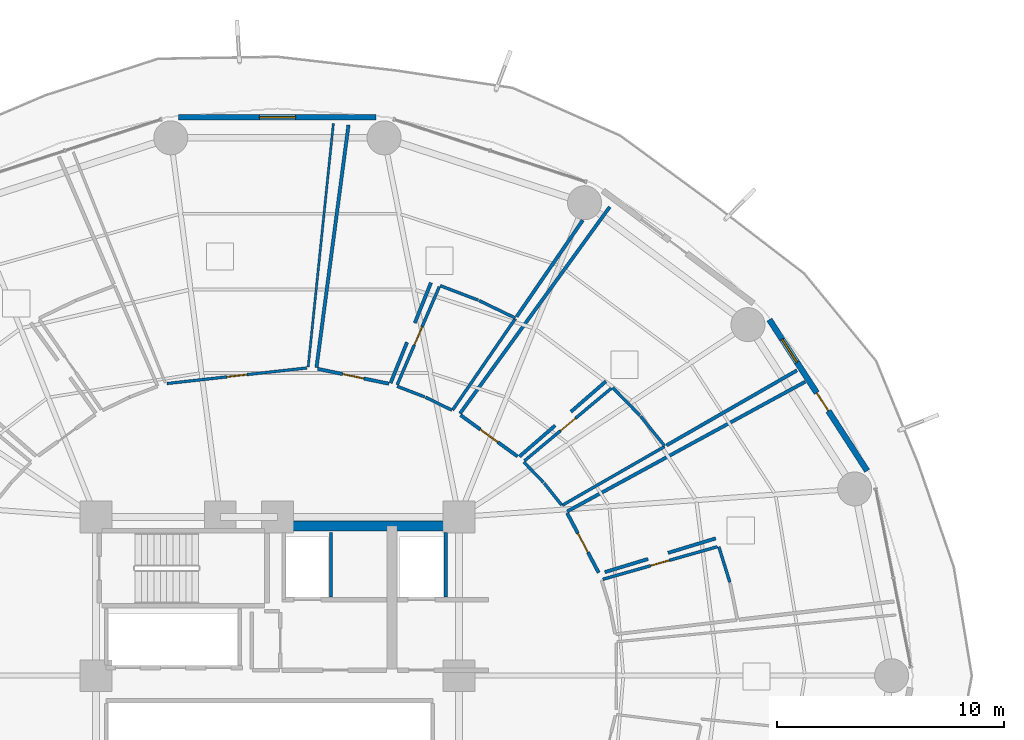
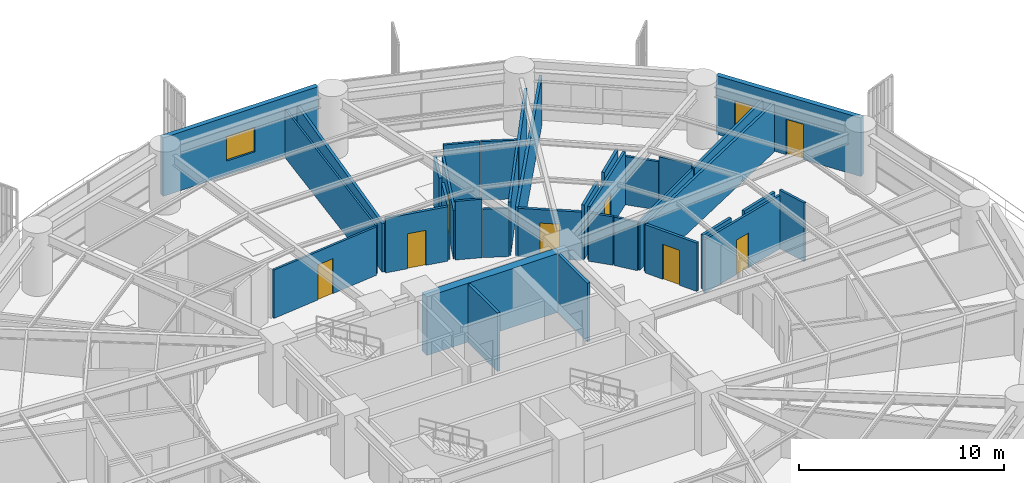
# One storey, part 26 of 33: 35 walls, 8 doors, 2 windows, 10 openings.
"""IFC4 building model written with IfcOpenShell, lengths in metres."""

from ifc_helpers import new_model, si_unit, direction, frame, frame_2d, origin, place, context, subcontext, project, spatial, rectangle, extrude, material, layer, layer_set, type_object, element, fill, save


model = new_model("IFC4")

# Units and contexts
model_context = context("Model", 3, precision=1e-05, world=origin(), true_north=direction((0.0, 1.0)))
body_context = subcontext(model_context, "Body", "Model", "MODEL_VIEW")
ifc_project = project(units=[si_unit("LENGTHUNIT", "METRE"), si_unit("AREAUNIT", "SQUARE_METRE"), si_unit("VOLUMEUNIT", "CUBIC_METRE"), si_unit("PLANEANGLEUNIT", "RADIAN"), si_unit("MASSUNIT", "GRAM", prefix="KILO")], contexts=[model_context])

# Site, building, storey
site_placement = place(None, origin())
site = spatial("IfcSite", under=ifc_project, at=site_placement, CompositionType="ELEMENT")
building_placement = place(site_placement, origin())
building = spatial("IfcBuilding", under=site, at=building_placement, Name="Kelanora Arch Commons", CompositionType="ELEMENT")
storey_placement = place(building_placement, frame((0.0, 0.0, 45.0)))
storey = spatial("IfcBuildingStorey", under=building, at=storey_placement, Name="L11", CompositionType="ELEMENT", Elevation=45.0)

# Walls
ifc_material_1 = material(Name="Autoclaved aerated concrete blockwork with fire plaster", Category="masonry")
ifc_layer_1 = layer(ifc_material_1, 0.14990234375)
ifc_layer_set_1 = layer_set([ifc_layer_1], Name="Autoclaved aerated concrete blockwork with fire plaster")
wall_type_1 = type_object("IfcWallType", Name="W-COMP-150", PredefinedType="PARTITIONING", material=ifc_layer_set_1)
for number, where, z_axis, x_axis, name in (
    (1, (76.360107421875, 61.47998046875, 0.0), (0.0, 0.0, 1.0), (0.0, 1.0, 0.0), "Firefighting Lift 1 East Shaft Wall L11"),
    (2, (81.419921875, 61.47998046875, 0.0), (0.0, 0.0, 1.0), (0.0, 1.0, 0.0), "Firefighting Lift 2 East Shaft Wall L11"),
):
    element("IfcWall", number, at=place(storey_placement, frame(where, z_axis=z_axis, x_axis=x_axis)), inside=storey, type_object=wall_type_1, Name=name, PredefinedType="PARTITIONING", context=body_context, shape_type="SweptSolid", body=[
        extrude(rectangle(XDim=2.840087890625, YDim=0.14990234375, at=frame_2d((1.419921875, 0.0))), origin(), (0.0, 0.0, 1.0), 3.47998046875),
    ])

# Wall, opening, door
wall_1_placement = place(storey_placement, frame((88.161865234375, 62.5458984375, 0.0), z_axis=(0.0, 0.0, 1.0), x_axis=(-0.467566881753, 0.883957697567, 0.0)))
wall_1 = element("IfcWall", 3, at=wall_1_placement, inside=storey, type_object=wall_type_1, Name="Co-Living Studio L11-01 Entry Partition", PredefinedType="PARTITIONING", context=body_context, shape_type="SweptSolid", body=[
    extrude(rectangle(XDim=2.97216796875, YDim=0.14990234375, at=frame_2d((1.486083984375, 0.0))), origin(), (0.0, 0.0, 1.0), 2.875),
])
opening_1_placement = place(wall_1_placement, frame((1.010986328125, 0.0, 0.0)))
opening_1 = element("IfcOpeningElement", 4, at=opening_1_placement, cuts=wall_1, Name="Opening D-CLU1", PredefinedType="OPENING", context=body_context, shape_type="SweptSolid", body=[
    extrude(rectangle(XDim=0.949951171875, YDim=2.080078125, at=frame_2d((0.47509765625, 1.0400390625))), frame((0.0, 0.0849609375, 0.0), z_axis=(0.0, -1.0, 0.0), x_axis=(1.0, 0.0, 0.0)), (0.0, 0.0, 1.0), 0.169921875),
])
ifc_material_2 = material(Name="Solid-core acoustic timber cluster entry fire door", Category="wood")
door_type_1 = type_object("IfcDoorType", Name="D-CLU-95", OperationType="NOTDEFINED", PredefinedType="DOOR", material=ifc_material_2)
door_1_placement = place(opening_1_placement, origin())
door_1 = element("IfcDoor", 5, at=door_1_placement, inside=storey, type_object=door_type_1, Name="Co-Living Studio L11-01 Door", OperationType="SINGLE_SWING_LEFT", OverallHeight=2.080078125, OverallWidth=0.949951171875, PredefinedType="DOOR", context=body_context, shape_type="SweptSolid", body=[
    extrude(rectangle(XDim=0.949951171875, YDim=2.080078125, at=frame_2d((0.47509765625, 1.0400390625))), frame((0.0, 0.02490234375, 0.0), z_axis=(0.0, -1.0, 0.0), x_axis=(1.0, 0.0, 0.0)), (0.0, 0.0, 1.0), 0.050048828125),
])
fill(opening_1, door_1)

wall_2_placement = place(storey_placement, frame((84.58642578125, 67.667236328125, 0.0), z_axis=(0.0, 0.0, 1.0), x_axis=(-0.80951419377, 0.587100306664, 0.0)))
wall_2 = element("IfcWall", 6, at=wall_2_placement, inside=storey, type_object=wall_type_1, Name="Co-Living Studio L11-02 Entry Partition", PredefinedType="PARTITIONING", context=body_context, shape_type="SweptSolid", body=[
    extrude(rectangle(XDim=3.104248046875, YDim=0.14990234375, at=frame_2d((1.55224609375, 0.0))), origin(), (0.0, 0.0, 1.0), 2.875),
])
opening_2_placement = place(wall_2_placement, frame((1.076904296875, 0.0, 0.0)))
opening_2 = element("IfcOpeningElement", 7, at=opening_2_placement, cuts=wall_2, Name="Opening D-CLU1", PredefinedType="OPENING", context=body_context, shape_type="SweptSolid", body=[
    extrude(rectangle(XDim=0.949951171875, YDim=2.080078125, at=frame_2d((0.47509765625, 1.0400390625))), frame((0.0, 0.0849609375, 0.0), z_axis=(0.0, -1.0, 0.0), x_axis=(1.0, 0.0, 0.0)), (0.0, 0.0, 1.0), 0.169921875),
])
door_2_placement = place(opening_2_placement, origin())
door_2 = element("IfcDoor", 8, at=door_2_placement, inside=storey, type_object=door_type_1, Name="Co-Living Studio L11-02 Door", OperationType="SINGLE_SWING_LEFT", OverallHeight=2.080078125, OverallWidth=0.949951171875, PredefinedType="DOOR", context=body_context, shape_type="SweptSolid", body=[
    extrude(rectangle(XDim=0.949951171875, YDim=2.080078125, at=frame_2d((0.47509765625, 1.0400390625))), frame((0.0, 0.02490234375, 0.0), z_axis=(0.0, -1.0, 0.0), x_axis=(1.0, 0.0, 0.0)), (0.0, 0.0, 1.0), 0.050048828125),
])
fill(opening_2, door_2)

wall_3_placement = place(storey_placement, frame((78.914306640625, 70.874267578125, 0.0), z_axis=(0.0, 0.0, 1.0), x_axis=(-0.978952544969, 0.204088007237, 0.0)))
wall_3 = element("IfcWall", 9, at=wall_3_placement, inside=storey, type_object=wall_type_1, Name="Co-Living Studio L11-03 Entry Partition", PredefinedType="PARTITIONING", context=body_context, shape_type="SweptSolid", body=[
    extrude(rectangle(XDim=3.20703125, YDim=0.14990234375, at=frame_2d((1.603515625, 0.0))), origin(), (0.0, 0.0, 1.0), 3.235107421875),
])
opening_3_placement = place(wall_3_placement, frame((1.12890625, 0.0, 0.0)))
opening_3 = element("IfcOpeningElement", 10, at=opening_3_placement, cuts=wall_3, Name="Opening D-CLU1", PredefinedType="OPENING", context=body_context, shape_type="SweptSolid", body=[
    extrude(rectangle(XDim=0.949951171875, YDim=2.080078125, at=frame_2d((0.47509765625, 1.0400390625))), frame((0.0, 0.0849609375, 0.0), z_axis=(0.0, -1.0, 0.0), x_axis=(1.0, 0.0, 0.0)), (0.0, 0.0, 1.0), 0.169921875),
])
door_3_placement = place(opening_3_placement, origin())
door_3 = element("IfcDoor", 11, at=door_3_placement, inside=storey, type_object=door_type_1, Name="Co-Living Studio L11-03 Door", OperationType="SINGLE_SWING_LEFT", OverallHeight=2.080078125, OverallWidth=0.949951171875, PredefinedType="DOOR", context=body_context, shape_type="SweptSolid", body=[
    extrude(rectangle(XDim=0.949951171875, YDim=2.080078125, at=frame_2d((0.47509765625, 1.0400390625))), frame((0.0, 0.02490234375, 0.0), z_axis=(0.0, -1.0, 0.0), x_axis=(1.0, 0.0, 0.0)), (0.0, 0.0, 1.0), 0.050048828125),
])
fill(opening_3, door_3)

# Walls
wall_4_placement = place(storey_placement, frame((86.779052734375, 65.2451171875, 0.0), z_axis=(0.0, 0.0, 1.0), x_axis=(0.878114235828, 0.478451030761, 0.0)))
element("IfcWall", 12, at=wall_4_placement, inside=storey, type_object=wall_type_1, Name="Co-Living Studio L11-01 Enclosure Partition 2", PredefinedType="PARTITIONING", context=body_context, shape_type="SweptSolid", body=[
    extrude(rectangle(XDim=11.9423828125, YDim=0.14990234375, at=frame_2d((5.97119140625, 0.0))), origin(), (0.0, 0.0, 1.0), 2.875),
])
wall_5_placement = place(storey_placement, frame((93.32373046875, 64.055419921875, 0.0), z_axis=(0.0, 0.0, 1.0), x_axis=(-0.956656385618, -0.291219092533, 0.0)))
element("IfcWall", 13, at=wall_5_placement, inside=storey, type_object=wall_type_1, Name="Co-Living Studio L11-01 Enclosure Partition 7", PredefinedType="PARTITIONING", context=body_context, shape_type="SweptSolid", body=[
    extrude(rectangle(XDim=2.197265625, YDim=0.14990234375, at=frame_2d((1.0986328125, 0.0))), origin(), (0.0, 0.0, 1.0), 3.175048828125),
])
wall_6_placement = place(storey_placement, frame((90.34130859375, 63.147705078125, 0.0), z_axis=(0.0, 0.0, 1.0), x_axis=(-0.956672396934, -0.291166490078, 0.0)))
element("IfcWall", 14, at=wall_6_placement, inside=storey, type_object=wall_type_1, Name="Co-Living Studio L11-01 Enclosure Partition 7", PredefinedType="PARTITIONING", context=body_context, shape_type="SweptSolid", body=[
    extrude(rectangle(XDim=1.9931640625, YDim=0.14990234375, at=frame_2d((0.99658203125, 0.0))), origin(), (0.0, 0.0, 1.0), 3.235107421875),
])
wall_7_placement = place(storey_placement, frame((82.048583984375, 69.557373046875, 0.0), z_axis=(0.0, 0.0, 1.0), x_axis=(0.586718941426, 0.809790641939, 0.0)))
element("IfcWall", 15, at=wall_7_placement, inside=storey, type_object=wall_type_1, Name="Co-Living Studio L11-02 Enclosure Partition 2", PredefinedType="PARTITIONING", context=body_context, shape_type="SweptSolid", body=[
    extrude(rectangle(XDim=11.248779296875, YDim=0.14990234375, at=frame_2d((5.62451171875, 0.0))), origin(), (0.0, 0.0, 1.0), 2.875),
])
wall_8_placement = place(storey_placement, frame((96.9033203125, 71.461181640625, 0.0), z_axis=(0.0, 0.0, 1.0), x_axis=(-0.866924194656, -0.498440007142, 0.0)))
element("IfcWall", 16, at=wall_8_placement, inside=storey, type_object=wall_type_1, Name="Co-Living Studio L11-02 Enclosure Partition 5", PredefinedType="PARTITIONING", context=body_context, shape_type="SweptSolid", body=[
    extrude(rectangle(XDim=6.633544921875, YDim=0.14990234375, at=frame_2d((3.31689453125, 0.0))), origin(), (0.0, 0.0, 1.0), 2.875),
])
wall_9_placement = place(storey_placement, frame((88.480712890625, 70.978759765625, 0.0), z_axis=(0.0, 0.0, 1.0), x_axis=(-0.754356172394, -0.656465357176, 0.0)))
element("IfcWall", 17, at=wall_9_placement, inside=storey, type_object=wall_type_1, Name="Co-Living Studio L11-02 Enclosure Partition 7", PredefinedType="PARTITIONING", context=body_context, shape_type="SweptSolid", body=[
    extrude(rectangle(XDim=2.045166015625, YDim=0.14990234375, at=frame_2d((1.0224609375, 0.0))), origin(), (0.0, 0.0, 1.0), 3.175048828125),
])
wall_10_placement = place(storey_placement, frame((86.243896484375, 69.031982421875, 0.0), z_axis=(0.0, 0.0, 1.0), x_axis=(-0.754351792987, -0.656470389597, 0.0)))
element("IfcWall", 18, at=wall_10_placement, inside=storey, type_object=wall_type_1, Name="Co-Living Studio L11-02 Enclosure Partition 7", PredefinedType="PARTITIONING", context=body_context, shape_type="SweptSolid", body=[
    extrude(rectangle(XDim=2.0927734375, YDim=0.14990234375, at=frame_2d((1.04638671875, 0.0))), origin(), (0.0, 0.0, 1.0), 3.235107421875),
])
wall_11_placement = place(storey_placement, frame((75.72119140625, 71.580810546875, 0.0), z_axis=(0.0, 0.0, 1.0), x_axis=(0.130800348515, 0.991408729449, 0.0)))
element("IfcWall", 19, at=wall_11_placement, inside=storey, type_object=wall_type_1, Name="Co-Living Studio L11-03 Enclosure Partition 2", PredefinedType="PARTITIONING", context=body_context, shape_type="SweptSolid", body=[
    extrude(rectangle(XDim=10.792236328125, YDim=0.14990234375, at=frame_2d((5.39599609375, 0.0))), origin(), (0.0, 0.0, 1.0), 2.875),
])
wall_12_placement = place(storey_placement, frame((87.462646484375, 78.082763671875, 0.0), z_axis=(0.0, 0.0, 1.0), x_axis=(-0.565642433627, -0.824650615279, 0.0)))
element("IfcWall", 20, at=wall_12_placement, inside=storey, type_object=wall_type_1, Name="Co-Living Studio L11-03 Enclosure Partition 5", PredefinedType="PARTITIONING", context=body_context, shape_type="SweptSolid", body=[
    extrude(rectangle(XDim=5.156982421875, YDim=0.14990234375, at=frame_2d((2.57861328125, 0.0))), origin(), (0.0, 0.0, 1.0), 2.875),
])
wall_13_placement = place(storey_placement, frame((80.77099609375, 75.329833984375, 0.0), z_axis=(0.0, 0.0, 1.0), x_axis=(-0.373257508911, -0.927727779061, 0.0)))
element("IfcWall", 21, at=wall_13_placement, inside=storey, type_object=wall_type_1, Name="Co-Living Studio L11-03 Enclosure Partition 7", PredefinedType="PARTITIONING", context=body_context, shape_type="SweptSolid", body=[
    extrude(rectangle(XDim=1.915771484375, YDim=0.14990234375, at=frame_2d((0.9580078125, 0.0))), origin(), (0.0, 0.0, 1.0), 2.875),
])
wall_14_placement = place(storey_placement, frame((79.712158203125, 72.69873046875, 0.0), z_axis=(0.0, 0.0, 1.0), x_axis=(-0.373407797427, -0.927667298562, 0.0)))
element("IfcWall", 22, at=wall_14_placement, inside=storey, type_object=wall_type_1, Name="Co-Living Studio L11-03 Enclosure Partition 7", PredefinedType="PARTITIONING", context=body_context, shape_type="SweptSolid", body=[
    extrude(rectangle(XDim=1.93994140625, YDim=0.14990234375, at=frame_2d((0.969970703125, 0.0))), origin(), (0.0, 0.0, 1.0), 3.235107421875),
])
ifc_material_3 = material(Name="Concrete C60/75", Category="concrete")
ifc_layer_2 = layer(ifc_material_3, 0.449951171875)
ifc_layer_set_2 = layer_set([ifc_layer_2], Name="Concrete C60/75")
wall_type_2 = type_object("IfcWallType", Name="W-CORE-450", PredefinedType="SHEAR", material=ifc_layer_set_2)
wall_15_placement = place(storey_placement, frame((74.0, 64.60009765625, 0.0), z_axis=(0.0, 0.0, 1.0), x_axis=(1.0, 0.0, 0.0)))
element("IfcWall", 23, at=wall_15_placement, inside=storey, type_object=wall_type_2, Name="Core Shear Spine L11-CN-E", PredefinedType="SHEAR", context=body_context, shape_type="SweptSolid", body=[
    extrude(rectangle(XDim=8.0, YDim=0.449951171875, at=frame_2d((4.0, 0.0))), origin(), (0.0, 0.0, 1.0), 3.489990234375),
])

# Wall, openings, door, window
ifc_material_4 = material(Name="Precast concrete C40/50 with terracotta rainscreen", Category="masonry")
ifc_layer_3 = layer(ifc_material_4, 0.260009765625)
ifc_layer_set_3 = layer_set([ifc_layer_3], Name="Precast concrete C40/50 with terracotta rainscreen")
wall_type_3 = type_object("IfcWallType", Name="W-EXT-TC", PredefinedType="SOLIDWALL", material=ifc_layer_set_3)
wall_16_placement = place(storey_placement, frame((99.999267578125, 67.033203125, 0.0), z_axis=(0.0, 0.0, 1.0), x_axis=(-0.543005114258, 0.839729388488, 0.0)))
wall_16 = element("IfcWall", 24, at=wall_16_placement, inside=storey, type_object=wall_type_3, Name="Terracotta Exterior Wall L11-B01", PredefinedType="SOLIDWALL", context=body_context, shape_type="SweptSolid", body=[
    extrude(rectangle(XDim=7.9375, YDim=0.260009765625, at=frame_2d((3.96875, 0.0))), origin(), (0.0, 0.0, 1.0), 3.47509765625),
])
opening_4_placement = place(wall_16_placement, frame((3.14404296875, 0.0, 0.0)))
opening_4 = element("IfcOpeningElement", 25, at=opening_4_placement, cuts=wall_16, Name="Opening DB-01", PredefinedType="OPENING", context=body_context, shape_type="SweptSolid", body=[
    extrude(rectangle(XDim=0.949951171875, YDim=2.10009765625, at=frame_2d((0.47509765625, 1.050048828125))), frame((0.0, 0.14013671875, 0.0), z_axis=(0.0, -1.0, 0.0), x_axis=(1.0, 0.0, 0.0)), (0.0, 0.0, 1.0), 0.280029296875),
])
opening_5_placement = place(wall_16_placement, frame((5.7041015625, 0.0, 0.85009765625)))
opening_5 = element("IfcOpeningElement", 26, at=opening_5_placement, cuts=wall_16, Name="Opening WN-02", PredefinedType="OPENING", context=body_context, shape_type="SweptSolid", body=[
    extrude(rectangle(XDim=1.199951171875, YDim=1.449951171875, at=frame_2d((0.60009765625, 0.72509765625))), frame((0.0, 0.14013671875, 0.0), z_axis=(0.0, -1.0, 0.0), x_axis=(1.0, 0.0, 0.0)), (0.0, 0.0, 1.0), 0.280029296875),
])
ifc_material_5 = material(Name="Terracotta-aluminium thermally broken glazed balcony door", Category="masonry")
door_type_2 = type_object("IfcDoorType", Name="D-BAL-10", OperationType="NOTDEFINED", PredefinedType="DOOR", material=ifc_material_5)
door_4_placement = place(opening_4_placement, frame((0.949951171875, 0.0, 0.0), z_axis=(0.0, 0.0, 1.0), x_axis=(-1.0, 0.0, 0.0)))
door_4 = element("IfcDoor", 27, at=door_4_placement, inside=storey, type_object=door_type_2, Name="Wave Balcony Door L11-B01", OperationType="SINGLE_SWING_LEFT", OverallHeight=2.10009765625, OverallWidth=0.949951171875, PredefinedType="DOOR", context=body_context, shape_type="SweptSolid", body=[
    extrude(rectangle(XDim=0.949951171875, YDim=2.10009765625, at=frame_2d((0.47509765625, 1.050048828125))), frame((0.0, 0.02490234375, 0.0), z_axis=(0.0, -1.0, 0.0), x_axis=(1.0, 0.0, 0.0)), (0.0, 0.0, 1.0), 0.050048828125),
])
fill(opening_4, door_4)
ifc_material_6 = material(Name="Terracotta-anodised aluminium frame with operable awning sash", Category="masonry")
window_type_1 = type_object("IfcWindowType", Name="WIN-CL-12", PartitioningType="SINGLE_PANEL", PredefinedType="WINDOW", material=ifc_material_6)
window_1_placement = place(opening_5_placement, origin())
window_1 = element("IfcWindow", 28, at=window_1_placement, inside=storey, type_object=window_type_1, Name="Co-Living Operable Window L11-B01", OverallHeight=1.449951171875, OverallWidth=1.199951171875, PartitioningType="SINGLE_PANEL", PredefinedType="WINDOW", context=body_context, shape_type="SweptSolid", body=[
    extrude(rectangle(XDim=1.199951171875, YDim=1.449951171875, at=frame_2d((0.60009765625, 0.72509765625))), frame((0.0, 0.030029296875, 0.0), z_axis=(0.0, -1.0, 0.0), x_axis=(1.0, 0.0, 0.0)), (0.0, 0.0, 1.0), 0.06005859375),
])
fill(opening_5, window_1)

# Wall, opening, window
wall_17_placement = place(storey_placement, frame((78.35595703125, 82.6201171875, 0.0), z_axis=(0.0, 0.0, 1.0), x_axis=(-1.0, 0.0, 0.0)))
wall_17 = element("IfcWall", 29, at=wall_17_placement, inside=storey, type_object=wall_type_3, Name="Terracotta Exterior Wall L11-B04", PredefinedType="SOLIDWALL", context=body_context, shape_type="SweptSolid", body=[
    extrude(rectangle(XDim=8.7119140625, YDim=0.260009765625, at=frame_2d((4.35595703125, 0.0))), origin(), (0.0, 0.0, 1.0), 3.47509765625),
])
opening_6_placement = place(wall_17_placement, frame((3.555908203125, 0.0, 0.85009765625)))
opening_6 = element("IfcOpeningElement", 30, at=opening_6_placement, cuts=wall_17, Name="Opening WN-01", PredefinedType="OPENING", context=body_context, shape_type="SweptSolid", body=[
    extrude(rectangle(XDim=1.60009765625, YDim=1.449951171875, at=frame_2d((0.800048828125, 0.72509765625))), frame((0.0, 0.14013671875, 0.0), z_axis=(0.0, -1.0, 0.0), x_axis=(1.0, 0.0, 0.0)), (0.0, 0.0, 1.0), 0.280029296875),
])
ifc_material_7 = material(Name="Terracotta-anodised aluminium frame with operable low-E glazing", Category="masonry")
window_type_2 = type_object("IfcWindowType", Name="WIN-CL-18", PartitioningType="DOUBLE_PANEL_VERTICAL", PredefinedType="WINDOW", material=ifc_material_7)
window_2_placement = place(opening_6_placement, origin())
window_2 = element("IfcWindow", 31, at=window_2_placement, inside=storey, type_object=window_type_2, Name="Co-Living Operable Window L11-B04", OverallHeight=1.449951171875, OverallWidth=1.60009765625, PartitioningType="SINGLE_PANEL", PredefinedType="WINDOW", context=body_context, shape_type="SweptSolid", body=[
    extrude(rectangle(XDim=1.60009765625, YDim=1.449951171875, at=frame_2d((0.800048828125, 0.72509765625))), frame((0.0, 0.030029296875, 0.0), z_axis=(0.0, -1.0, 0.0), x_axis=(1.0, 0.0, 0.0)), (0.0, 0.0, 1.0), 0.06005859375),
])
fill(opening_6, window_2)

# Wall
ifc_material_8 = material(Name="Lightweight fire-rated acoustic stud partition")
ifc_layer_4 = layer(ifc_material_8, 0.10009765625)
ifc_layer_set_4 = layer_set([ifc_layer_4], Name="Lightweight fire-rated acoustic stud partition")
wall_type_4 = type_object("IfcWallType", Name="W-PART-100", PredefinedType="PARTITIONING", material=ifc_layer_set_4)
wall_18_placement = place(storey_placement, frame((76.4658203125, 82.34130859375, 0.0), z_axis=(0.0, 0.0, 1.0), x_axis=(-0.103008831227, -0.994680441493, 0.0)))
element("IfcWall", 32, at=wall_18_placement, inside=storey, type_object=wall_type_4, Name="Communal Dining and Social Hall L11-04 Enclosure Partition 4", PredefinedType="PARTITIONING", context=body_context, shape_type="SweptSolid", body=[
    extrude(rectangle(XDim=10.783935546875, YDim=0.10009765625, at=frame_2d((5.39208984375, 0.0))), origin(), (0.0, 0.0, 1.0), 2.875),
])

# Wall, opening, door
ifc_material_9 = material(Name="Acoustic twin-stud fire-rated gypsum partition")
ifc_layer_5 = layer(ifc_material_9, 0.1201171875)
ifc_layer_set_5 = layer_set([ifc_layer_5], Name="Acoustic twin-stud fire-rated gypsum partition")
wall_type_5 = type_object("IfcWallType", Name="W-PART-120", PredefinedType="PARTITIONING", material=ifc_layer_set_5)
wall_19_placement = place(storey_placement, frame((75.29150390625, 71.568359375, 0.0), z_axis=(0.0, 0.0, 1.0), x_axis=(-0.993850084324, -0.110733959964, 0.0)))
wall_19 = element("IfcWall", 33, at=wall_19_placement, inside=storey, type_object=wall_type_5, Name="Communal Dining and Social Hall L11-04 Entry Partition", PredefinedType="PARTITIONING", context=body_context, shape_type="SweptSolid", body=[
    extrude(rectangle(XDim=6.201904296875, YDim=0.1201171875, at=frame_2d((3.10107421875, 0.0))), origin(), (0.0, 0.0, 1.0), 2.875),
])
opening_7_placement = place(wall_19_placement, frame((2.65087890625, 0.0, 0.0)))
opening_7 = element("IfcOpeningElement", 34, at=opening_7_placement, cuts=wall_19, Name="Opening D-RM1", PredefinedType="OPENING", context=body_context, shape_type="SweptSolid", body=[
    extrude(rectangle(XDim=0.89990234375, YDim=2.080078125, at=frame_2d((0.449951171875, 1.0400390625))), frame((0.0, 0.070068359375, 0.0), z_axis=(0.0, -1.0, 0.0), x_axis=(1.0, 0.0, 0.0)), (0.0, 0.0, 1.0), 0.14013671875),
])
ifc_material_10 = material(Name="Acoustic fire-rated timber study and lounge door", Category="wood")
door_type_3 = type_object("IfcDoorType", Name="D-ROOM-90", OperationType="NOTDEFINED", PredefinedType="DOOR", material=ifc_material_10)
door_5_placement = place(opening_7_placement, origin())
door_5 = element("IfcDoor", 35, at=door_5_placement, inside=storey, type_object=door_type_3, Name="Communal Dining and Social Hall L11-04 Door", OperationType="SINGLE_SWING_RIGHT", OverallHeight=2.080078125, OverallWidth=0.89990234375, PredefinedType="DOOR", context=body_context, shape_type="SweptSolid", body=[
    extrude(rectangle(XDim=0.89990234375, YDim=2.080078125, at=frame_2d((0.449951171875, 1.0400390625))), frame((0.0, 0.02490234375, 0.0), z_axis=(0.0, -1.0, 0.0), x_axis=(1.0, 0.0, 0.0)), (0.0, 0.0, 1.0), 0.050048828125),
])
fill(opening_7, door_5)

ifc_material_11 = material(Name="Moisture-resistant fire-rated cement-board plumbing wall")
ifc_layer_6 = layer(ifc_material_11, 0.1298828125)
ifc_layer_set_6 = layer_set([ifc_layer_6], Name="Moisture-resistant fire-rated cement-board plumbing wall")
wall_type_6 = type_object("IfcWallType", Name="W-WET-120", PredefinedType="PLUMBINGWALL", material=ifc_layer_set_6)
wall_20_placement = place(storey_placement, frame((88.34375, 62.25048828125, 0.0), z_axis=(0.0, 0.0, 1.0), x_axis=(0.961805744602, 0.273732916636, 0.0)))
wall_20 = element("IfcWall", 36, at=wall_20_placement, inside=storey, type_object=wall_type_6, Name="En-Suite Shower WC L11-01 Entry Partition", PredefinedType="PLUMBINGWALL", context=body_context, shape_type="SweptSolid", body=[
    extrude(rectangle(XDim=5.254150390625, YDim=0.1298828125, at=frame_2d((2.626953125, 0.0))), origin(), (0.0, 0.0, 1.0), 3.175048828125),
])
opening_8_placement = place(wall_20_placement, frame((2.197021484375, 0.0, 0.0)))
opening_8 = element("IfcOpeningElement", 37, at=opening_8_placement, cuts=wall_20, Name="Opening D-BT1", PredefinedType="OPENING", context=body_context, shape_type="SweptSolid", body=[
    extrude(rectangle(XDim=0.860107421875, YDim=2.050048828125, at=frame_2d((0.43017578125, 1.02490234375))), frame((0.0, 0.074951171875, 0.0), z_axis=(0.0, -1.0, 0.0), x_axis=(1.0, 0.0, 0.0)), (0.0, 0.0, 1.0), 0.14990234375),
])
ifc_material_12 = material(Name="Moisture-sealed fire-rated accessible bathroom door")
door_type_4 = type_object("IfcDoorType", Name="D-BATH-85", OperationType="NOTDEFINED", PredefinedType="DOOR", material=ifc_material_12)
door_6_placement = place(opening_8_placement, origin())
door_6 = element("IfcDoor", 38, at=door_6_placement, inside=storey, type_object=door_type_4, Name="En-Suite Shower WC L11-01 Door", OperationType="SINGLE_SWING_RIGHT", OverallHeight=2.050048828125, OverallWidth=0.860107421875, PredefinedType="DOOR", context=body_context, shape_type="SweptSolid", body=[
    extrude(rectangle(XDim=0.860107421875, YDim=2.050048828125, at=frame_2d((0.43017578125, 1.02490234375))), frame((0.0, 0.02490234375, 0.0), z_axis=(0.0, -1.0, 0.0), x_axis=(1.0, 0.0, 0.0)), (0.0, 0.0, 1.0), 0.050048828125),
])
fill(opening_8, door_6)

wall_21_placement = place(storey_placement, frame((84.89208984375, 67.474609375, 0.0), z_axis=(0.0, 0.0, 1.0), x_axis=(0.767551433238, 0.64098736129, 0.0)))
wall_21 = element("IfcWall", 39, at=wall_21_placement, inside=storey, type_object=wall_type_6, Name="En-Suite Shower WC L11-02 Entry Partition", PredefinedType="PLUMBINGWALL", context=body_context, shape_type="SweptSolid", body=[
    extrude(rectangle(XDim=4.9921875, YDim=0.1298828125, at=frame_2d((2.49609375, 0.0))), origin(), (0.0, 0.0, 1.0), 3.175048828125),
])
opening_9_placement = place(wall_21_placement, frame((2.06591796875, 0.0, 0.0)))
opening_9 = element("IfcOpeningElement", 40, at=opening_9_placement, cuts=wall_21, Name="Opening D-BT1", PredefinedType="OPENING", context=body_context, shape_type="SweptSolid", body=[
    extrude(rectangle(XDim=0.860107421875, YDim=2.050048828125, at=frame_2d((0.43017578125, 1.02490234375))), frame((0.0, 0.074951171875, 0.0), z_axis=(0.0, -1.0, 0.0), x_axis=(1.0, 0.0, 0.0)), (0.0, 0.0, 1.0), 0.14990234375),
])
door_7_placement = place(opening_9_placement, origin())
door_7 = element("IfcDoor", 41, at=door_7_placement, inside=storey, type_object=door_type_4, Name="En-Suite Shower WC L11-02 Door", OperationType="SINGLE_SWING_RIGHT", OverallHeight=2.050048828125, OverallWidth=0.860107421875, PredefinedType="DOOR", context=body_context, shape_type="SweptSolid", body=[
    extrude(rectangle(XDim=0.860107421875, YDim=2.050048828125, at=frame_2d((0.43017578125, 1.02490234375))), frame((0.0, 0.02490234375, 0.0), z_axis=(0.0, -1.0, 0.0), x_axis=(1.0, 0.0, 0.0)), (0.0, 0.0, 1.0), 0.050048828125),
])
fill(opening_9, door_7)

wall_22_placement = place(storey_placement, frame((79.280517578125, 70.82421875, 0.0), z_axis=(0.0, 0.0, 1.0), x_axis=(0.394194788946, 0.919026913843, 0.0)))
wall_22 = element("IfcWall", 42, at=wall_22_placement, inside=storey, type_object=wall_type_6, Name="En-Suite Shower WC L11-03 Entry Partition", PredefinedType="PLUMBINGWALL", context=body_context, shape_type="SweptSolid", body=[
    extrude(rectangle(XDim=4.705810546875, YDim=0.1298828125, at=frame_2d((2.35302734375, 0.0))), origin(), (0.0, 0.0, 1.0), 2.875),
])
opening_10_placement = place(wall_22_placement, frame((1.923095703125, 0.0, 0.0)))
opening_10 = element("IfcOpeningElement", 43, at=opening_10_placement, cuts=wall_22, Name="Opening D-BT1", PredefinedType="OPENING", context=body_context, shape_type="SweptSolid", body=[
    extrude(rectangle(XDim=0.860107421875, YDim=2.050048828125, at=frame_2d((0.43017578125, 1.02490234375))), frame((0.0, 0.074951171875, 0.0), z_axis=(0.0, -1.0, 0.0), x_axis=(1.0, 0.0, 0.0)), (0.0, 0.0, 1.0), 0.14990234375),
])
door_8_placement = place(opening_10_placement, origin())
door_8 = element("IfcDoor", 44, at=door_8_placement, inside=storey, type_object=door_type_4, Name="En-Suite Shower WC L11-03 Door", OperationType="SINGLE_SWING_RIGHT", OverallHeight=2.050048828125, OverallWidth=0.860107421875, PredefinedType="DOOR", context=body_context, shape_type="SweptSolid", body=[
    extrude(rectangle(XDim=0.860107421875, YDim=2.050048828125, at=frame_2d((0.43017578125, 1.02490234375))), frame((0.0, 0.02490234375, 0.0), z_axis=(0.0, -1.0, 0.0), x_axis=(1.0, 0.0, 0.0)), (0.0, 0.0, 1.0), 0.050048828125),
])
fill(opening_10, door_8)

# Walls
wall_23_placement = place(storey_placement, frame((93.4609375, 63.685791015625, 0.0), z_axis=(0.0, 0.0, 1.0), x_axis=(0.295079059694, -0.955472840289, 0.0)))
element("IfcWall", 45, at=wall_23_placement, inside=storey, type_object=wall_type_6, Name="En-Suite Shower WC L11-01 Enclosure Partition 4", PredefinedType="PLUMBINGWALL", context=body_context, shape_type="SweptSolid", body=[
    extrude(rectangle(XDim=1.640625, YDim=0.1298828125, at=frame_2d((0.8203125, 0.0))), origin(), (0.0, 0.0, 1.0), 3.47998046875),
])
wall_24_placement = place(storey_placement, frame((86.533447265625, 65.521484375, 0.0), z_axis=(0.0, 0.0, 1.0), x_axis=(-0.625509784914, 0.780216321912, 0.0)))
element("IfcWall", 46, at=wall_24_placement, inside=storey, type_object=wall_type_6, Name="En-Suite Shower WC L11-02 Enclosure Partition 1", PredefinedType="PLUMBINGWALL", context=body_context, shape_type="SweptSolid", body=[
    extrude(rectangle(XDim=1.241943359375, YDim=0.1298828125, at=frame_2d((0.62109375, 0.0))), origin(), (0.0, 0.0, 1.0), 2.875),
])
wall_25_placement = place(storey_placement, frame((85.72998046875, 66.5205078125, 0.0), z_axis=(0.0, 0.0, 1.0), x_axis=(-0.694622338853, 0.719374593913, 0.0)))
element("IfcWall", 47, at=wall_25_placement, inside=storey, type_object=wall_type_6, Name="En-Suite Shower WC L11-02 Enclosure Partition 2", PredefinedType="PLUMBINGWALL", context=body_context, shape_type="SweptSolid", body=[
    extrude(rectangle(XDim=1.252685546875, YDim=0.1298828125, at=frame_2d((0.62646484375, 0.0))), origin(), (0.0, 0.0, 1.0), 2.875),
])
wall_26_placement = place(storey_placement, frame((88.783935546875, 70.69873046875, 0.0), z_axis=(0.0, 0.0, 1.0), x_axis=(0.698493231478, -0.715616661055, 0.0)))
element("IfcWall", 48, at=wall_26_placement, inside=storey, type_object=wall_type_6, Name="En-Suite Shower WC L11-02 Enclosure Partition 4", PredefinedType="PLUMBINGWALL", context=body_context, shape_type="SweptSolid", body=[
    extrude(rectangle(XDim=1.7109375, YDim=0.1298828125, at=frame_2d((0.85546875, 0.0))), origin(), (0.0, 0.0, 1.0), 2.875),
])
wall_27_placement = place(storey_placement, frame((90.005615234375, 69.444580078125, 0.0), z_axis=(0.0, 0.0, 1.0), x_axis=(0.629707963092, -0.776831951723, 0.0)))
element("IfcWall", 49, at=wall_27_placement, inside=storey, type_object=wall_type_6, Name="En-Suite Shower WC L11-02 Enclosure Partition 5", PredefinedType="PLUMBINGWALL", context=body_context, shape_type="SweptSolid", body=[
    extrude(rectangle(XDim=1.6943359375, YDim=0.1298828125, at=frame_2d((0.84716796875, 0.0))), origin(), (0.0, 0.0, 1.0), 3.175048828125),
])
wall_28_placement = place(storey_placement, frame((91.067626953125, 68.10302734375, 0.0), z_axis=(0.0, 0.0, 1.0), x_axis=(-0.867165143158, -0.498020696851, 0.0)))
element("IfcWall", 50, at=wall_28_placement, inside=storey, type_object=wall_type_6, Name="En-Suite Shower WC L11-02 Enclosure Partition 6", PredefinedType="PLUMBINGWALL", context=body_context, shape_type="SweptSolid", body=[
    extrude(rectangle(XDim=5.1943359375, YDim=0.1298828125, at=frame_2d((2.59716796875, 0.0))), origin(), (0.0, 0.0, 1.0), 2.875),
])
wall_29_placement = place(storey_placement, frame((81.694091796875, 69.707763671875, 0.0), z_axis=(0.0, 0.0, 1.0), x_axis=(-0.898753964496, 0.43845331713, 0.0)))
element("IfcWall", 51, at=wall_29_placement, inside=storey, type_object=wall_type_6, Name="En-Suite Shower WC L11-03 Enclosure Partition 1", PredefinedType="PLUMBINGWALL", context=body_context, shape_type="SweptSolid", body=[
    extrude(rectangle(XDim=1.29638671875, YDim=0.1298828125, at=frame_2d((0.648193359375, 0.0))), origin(), (0.0, 0.0, 1.0), 2.875),
])
wall_30_placement = place(storey_placement, frame((80.4921875, 70.292236328125, 0.0), z_axis=(0.0, 0.0, 1.0), x_axis=(-0.932939679843, 0.360032712089, 0.0)))
element("IfcWall", 52, at=wall_30_placement, inside=storey, type_object=wall_type_6, Name="En-Suite Shower WC L11-03 Enclosure Partition 2", PredefinedType="PLUMBINGWALL", context=body_context, shape_type="SweptSolid", body=[
    extrude(rectangle(XDim=1.303955078125, YDim=0.1298828125, at=frame_2d((0.65185546875, 0.0))), origin(), (0.0, 0.0, 1.0), 3.47998046875),
])
wall_31_placement = place(storey_placement, frame((81.177734375, 75.197021484375, 0.0), z_axis=(0.0, 0.0, 1.0), x_axis=(0.934026387995, -0.357204012477, 0.0)))
element("IfcWall", 53, at=wall_31_placement, inside=storey, type_object=wall_type_6, Name="En-Suite Shower WC L11-03 Enclosure Partition 4", PredefinedType="PLUMBINGWALL", context=body_context, shape_type="SweptSolid", body=[
    extrude(rectangle(XDim=1.78857421875, YDim=0.1298828125, at=frame_2d((0.894287109375, 0.0))), origin(), (0.0, 0.0, 1.0), 3.47998046875),
])
wall_32_placement = place(storey_placement, frame((82.885009765625, 74.542236328125, 0.0), z_axis=(0.0, 0.0, 1.0), x_axis=(0.900637023717, -0.434572147648, 0.0)))
element("IfcWall", 54, at=wall_32_placement, inside=storey, type_object=wall_type_6, Name="En-Suite Shower WC L11-03 Enclosure Partition 5", PredefinedType="PLUMBINGWALL", context=body_context, shape_type="SweptSolid", body=[
    extrude(rectangle(XDim=1.775390625, YDim=0.1298828125, at=frame_2d((0.8876953125, 0.0))), origin(), (0.0, 0.0, 1.0), 3.47998046875),
])
wall_33_placement = place(storey_placement, frame((84.49072265625, 73.74560546875, 0.0), z_axis=(0.0, 0.0, 1.0), x_axis=(-0.566068810651, -0.824357993597, 0.0)))
element("IfcWall", 55, at=wall_33_placement, inside=storey, type_object=wall_type_6, Name="En-Suite Shower WC L11-03 Enclosure Partition 6", PredefinedType="PLUMBINGWALL", context=body_context, shape_type="SweptSolid", body=[
    extrude(rectangle(XDim=4.888671875, YDim=0.1298828125, at=frame_2d((2.4443359375, 0.0))), origin(), (0.0, 0.0, 1.0), 3.175048828125),
])

save(model, "model.ifc")
